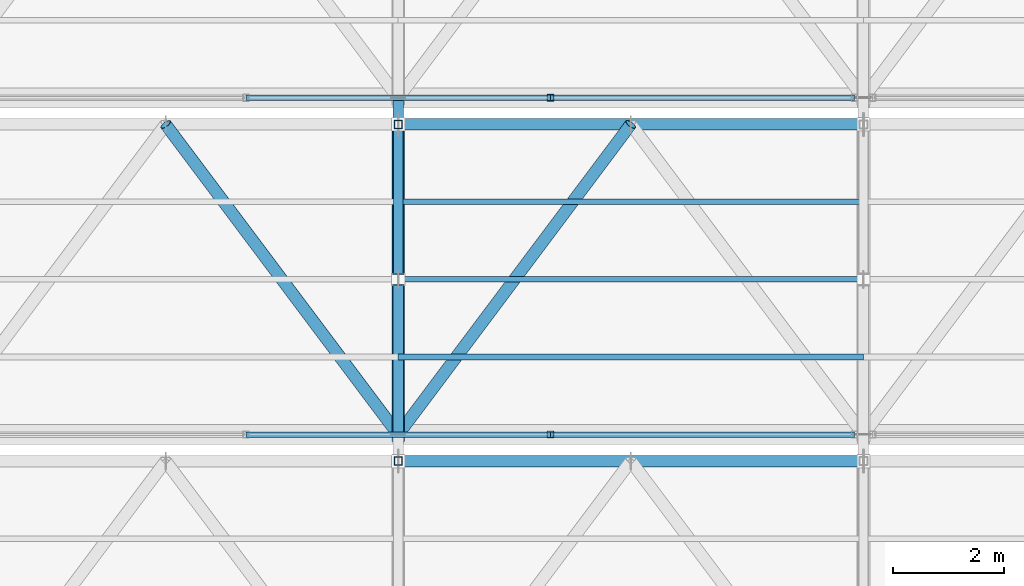
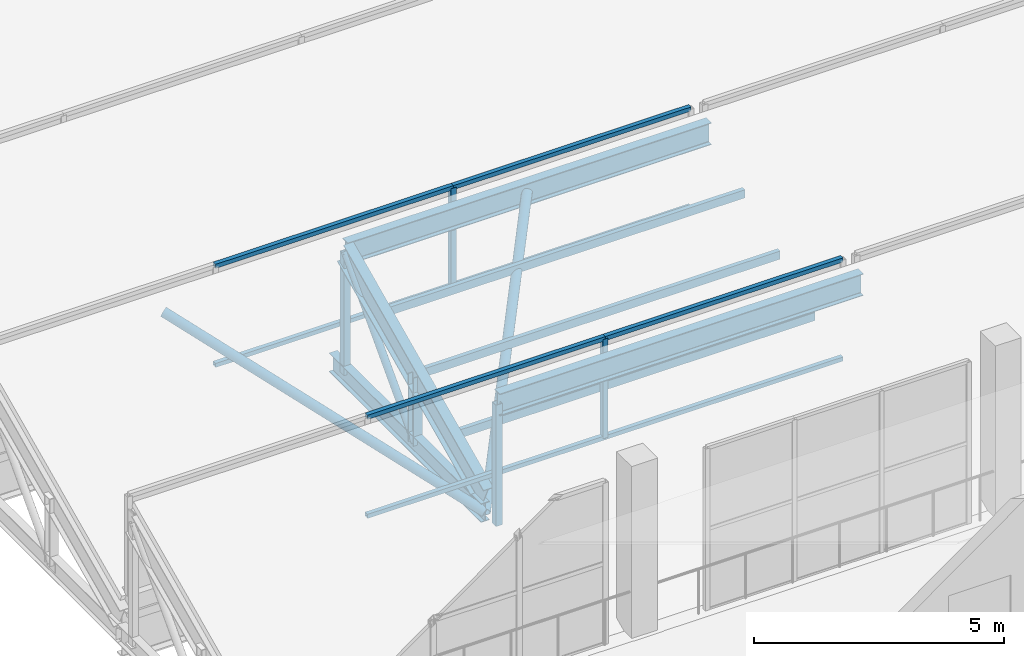
# One storey, part 76 of 217: 23 members, 2 elements without a shape of their own.
"""IFC4 building model written with IfcOpenShell, lengths in metres."""

from ifc_helpers import new_model, si_unit, direction, frame, origin, origin_2d, place, context, subcontext, project, spatial, hollow_rectangle, hollow_circle, i_section, extrude, material, material_profile, profile_set, type_object, element, aggregate, save


model = new_model("IFC4")

# Units and contexts
model_context = context("Model", 3, precision=1e-05, world=origin(), true_north=direction((0.0, 1.0)))
body_context = subcontext(model_context, "Body", "Model", "MODEL_VIEW")
ifc_project = project(units=[si_unit("LENGTHUNIT", "METRE"), si_unit("AREAUNIT", "SQUARE_METRE"), si_unit("VOLUMEUNIT", "CUBIC_METRE"), si_unit("PLANEANGLEUNIT", "RADIAN"), si_unit("MASSUNIT", "GRAM", prefix="KILO")], contexts=[model_context])

# Site, building, storey
site_placement = place(None, origin())
site = spatial("IfcSite", under=ifc_project, at=site_placement, CompositionType="ELEMENT")
building_placement = place(site_placement, origin())
building = spatial("IfcBuilding", under=site, at=building_placement, Name="Zuvorla Pavilion Media Centre", CompositionType="ELEMENT")
storey_placement = place(building_placement, frame((0.0, 0.0, 9.60009765625)))
storey = spatial("IfcBuildingStorey", under=building, at=storey_placement, Name="L02", CompositionType="ELEMENT", Elevation=9.60009765625)

# Curtain wall, member
ifc_material_1 = material(Name="Unitised anodised aluminium and solar glass curtain wall", Category="aluminium")
curtain_wall_type = type_object("IfcCurtainWallType", Name="CW-SYS-88", PredefinedType="USERDEFINED", material=ifc_material_1)
curtain_wall_1_placement = place(storey_placement, origin())
curtain_wall_1 = element("IfcCurtainWall", 1, at=curtain_wall_1_placement, inside=storey, type_object=curtain_wall_type, Name="L02 curtain wall CW88 200", ObjectType="CURTAIN WALL", PredefinedType="USERDEFINED")
ifc_material_2 = material(Name="Anodised aluminium 6063-T6", Category="aluminium")
ifc_material_profile_1 = material_profile(ifc_material_2, hollow_rectangle(XDim=0.1201171875, YDim=0.1201171875, WallThickness=0.0048828125, at=origin_2d()), Name="ALU MULL 120x120")
ifc_profile_set_1 = profile_set([ifc_material_profile_1], Name="Anodised aluminium 6063-T6")
member_type_1 = type_object("IfcMemberType", Name="CW-MULL-120", PredefinedType="MULLION", material=ifc_profile_set_1)
member_1_placement = place(storey_placement, frame((77.94677734375, 95.679931640625, 0.0), z_axis=(0.0, 0.0, 1.0), x_axis=(1.0, 0.0, 0.0)))
member_1 = element("IfcMember", 2, at=member_1_placement, type_object=member_type_1, Name="CW88 mullion 3", PredefinedType="MULLION", context=body_context, shape_type="SweptSolid", body=[
    extrude(hollow_rectangle(XDim=0.1201171875, YDim=0.1201171875, WallThickness=0.0048828125, at=origin_2d()), origin(), (0.0, 0.0, 1.0), 2.419921875),
])

curtain_wall_2_placement = place(storey_placement, origin())
curtain_wall_2 = element("IfcCurtainWall", 3, at=curtain_wall_2_placement, inside=storey, type_object=curtain_wall_type, Name="L02 curtain wall CW88 204", ObjectType="CURTAIN WALL", PredefinedType="USERDEFINED")
member_2_placement = place(storey_placement, frame((77.94677734375, 101.760009765625, 0.0), z_axis=(0.0, 0.0, 1.0), x_axis=(1.0, 0.0, 0.0)))
member_2 = element("IfcMember", 4, at=member_2_placement, type_object=member_type_1, Name="CW88 mullion 3", PredefinedType="MULLION", context=body_context, shape_type="SweptSolid", body=[
    extrude(hollow_rectangle(XDim=0.1201171875, YDim=0.1201171875, WallThickness=0.0048828125, at=origin_2d()), origin(), (0.0, 0.0, 1.0), 2.419921875),
])

# Member
ifc_material_profile_2 = material_profile(ifc_material_2, hollow_rectangle(XDim=0.10009765625, YDim=0.10009765625, WallThickness=0.00439453125, at=origin_2d()), Name="ALU TRAN 100x100")
ifc_profile_set_2 = profile_set([ifc_material_profile_2], Name="Anodised aluminium 6063-T6")
member_type_2 = type_object("IfcMemberType", Name="CW-TRAN-100", PredefinedType="USERDEFINED", material=ifc_profile_set_2)
member_3_placement = place(storey_placement, frame((72.453369140625, 95.679931640625, 0.0), z_axis=(1.0, 0.0, 0.0), x_axis=(0.0, 1.0, 0.0)))
member_3 = element("IfcMember", 5, at=member_3_placement, type_object=member_type_2, Name="CW88 transom 2.1", ObjectType="TRANSOM", PredefinedType="USERDEFINED", context=body_context, shape_type="SweptSolid", body=[
    extrude(hollow_rectangle(XDim=0.10009765625, YDim=0.10009765625, WallThickness=0.00439453125, at=origin_2d()), origin(), (0.0, 0.0, 1.0), 5.493408203125),
])

member_4_placement = place(storey_placement, frame((72.453369140625, 95.679931640625, 2.419921875), z_axis=(1.0, 0.0, 0.0), x_axis=(0.0, 1.0, 0.0)))
member_4 = element("IfcMember", 6, at=member_4_placement, type_object=member_type_2, Name="CW88 transom 2.2", ObjectType="TRANSOM", PredefinedType="USERDEFINED", context=body_context, shape_type="SweptSolid", body=[
    extrude(hollow_rectangle(XDim=0.10009765625, YDim=0.10009765625, WallThickness=0.00439453125, at=origin_2d()), origin(), (0.0, 0.0, 1.0), 5.493408203125),
])

member_5_placement = place(storey_placement, frame((77.94677734375, 95.679931640625, 0.0), z_axis=(1.0, 0.0, 0.0), x_axis=(0.0, 1.0, 0.0)))
member_5 = element("IfcMember", 7, at=member_5_placement, type_object=member_type_2, Name="CW88 transom 3.1", ObjectType="TRANSOM", PredefinedType="USERDEFINED", context=body_context, shape_type="SweptSolid", body=[
    extrude(hollow_rectangle(XDim=0.10009765625, YDim=0.10009765625, WallThickness=0.00439453125, at=origin_2d()), origin(), (0.0, 0.0, 1.0), 5.4931640625),
])

member_6_placement = place(storey_placement, frame((77.94677734375, 95.679931640625, 2.419921875), z_axis=(1.0, 0.0, 0.0), x_axis=(0.0, 1.0, 0.0)))
member_6 = element("IfcMember", 8, at=member_6_placement, type_object=member_type_2, Name="CW88 transom 3.2", ObjectType="TRANSOM", PredefinedType="USERDEFINED", context=body_context, shape_type="SweptSolid", body=[
    extrude(hollow_rectangle(XDim=0.10009765625, YDim=0.10009765625, WallThickness=0.00439453125, at=origin_2d()), origin(), (0.0, 0.0, 1.0), 5.4931640625),
])

aggregate(curtain_wall_1, [member_1, member_3, member_4, member_5, member_6])

member_7_placement = place(storey_placement, frame((72.453369140625, 101.760009765625, 0.0), z_axis=(1.0, 0.0, 0.0), x_axis=(0.0, 1.0, 0.0)))
member_7 = element("IfcMember", 9, at=member_7_placement, type_object=member_type_2, Name="CW88 transom 2.1", ObjectType="TRANSOM", PredefinedType="USERDEFINED", context=body_context, shape_type="SweptSolid", body=[
    extrude(hollow_rectangle(XDim=0.10009765625, YDim=0.10009765625, WallThickness=0.00439453125, at=origin_2d()), origin(), (0.0, 0.0, 1.0), 5.493408203125),
])

member_8_placement = place(storey_placement, frame((72.453369140625, 101.760009765625, 2.419921875), z_axis=(1.0, 0.0, 0.0), x_axis=(0.0, 1.0, 0.0)))
member_8 = element("IfcMember", 10, at=member_8_placement, type_object=member_type_2, Name="CW88 transom 2.2", ObjectType="TRANSOM", PredefinedType="USERDEFINED", context=body_context, shape_type="SweptSolid", body=[
    extrude(hollow_rectangle(XDim=0.10009765625, YDim=0.10009765625, WallThickness=0.00439453125, at=origin_2d()), origin(), (0.0, 0.0, 1.0), 5.493408203125),
])

member_9_placement = place(storey_placement, frame((77.94677734375, 101.760009765625, 0.0), z_axis=(1.0, 0.0, 0.0), x_axis=(0.0, 1.0, 0.0)))
member_9 = element("IfcMember", 11, at=member_9_placement, type_object=member_type_2, Name="CW88 transom 3.1", ObjectType="TRANSOM", PredefinedType="USERDEFINED", context=body_context, shape_type="SweptSolid", body=[
    extrude(hollow_rectangle(XDim=0.10009765625, YDim=0.10009765625, WallThickness=0.00439453125, at=origin_2d()), origin(), (0.0, 0.0, 1.0), 5.4931640625),
])

member_10_placement = place(storey_placement, frame((77.94677734375, 101.760009765625, 2.419921875), z_axis=(1.0, 0.0, 0.0), x_axis=(0.0, 1.0, 0.0)))
member_10 = element("IfcMember", 12, at=member_10_placement, type_object=member_type_2, Name="CW88 transom 3.2", ObjectType="TRANSOM", PredefinedType="USERDEFINED", context=body_context, shape_type="SweptSolid", body=[
    extrude(hollow_rectangle(XDim=0.10009765625, YDim=0.10009765625, WallThickness=0.00439453125, at=origin_2d()), origin(), (0.0, 0.0, 1.0), 5.4931640625),
])

aggregate(curtain_wall_2, [member_2, member_7, member_8, member_9, member_10])

# Members
ifc_material_3 = material(Name="Steel S355", Category="steel")
ifc_material_profile_3 = material_profile(ifc_material_3, hollow_circle(Radius=0.084228515625, WallThickness=0.008056640625, at=origin_2d()), Name="CHS 168.3x8")
ifc_profile_set_3 = profile_set([ifc_material_profile_3], Name="Steel S355")
member_type_3 = type_object("IfcMemberType", Name="MEM-BRC-CHS168", PredefinedType="BRACE", material=ifc_profile_set_3)
member_11_placement = place(storey_placement, frame((75.199951171875, 98.47998046875, -0.880126953125), z_axis=(0.0, 0.68676242614, 0.726881950555), x_axis=(-1.0, 0.0, 0.0)))
element("IfcMember", 13, at=member_11_placement, inside=storey, type_object=member_type_3, Name="L02 diagonal brace TB03 134", PredefinedType="BRACE", context=body_context, shape_type="SweptSolid", body=[
    extrude(hollow_circle(Radius=0.084228515625, WallThickness=0.008056640625, at=origin_2d()), origin(), (0.0, 0.0, 1.0), 4.0771484375),
])
ifc_material_profile_4 = material_profile(ifc_material_3, hollow_circle(Radius=0.109619140625, WallThickness=0.010009765625, at=origin_2d()), Name="CHS 219.1x10")
ifc_profile_set_4 = profile_set([ifc_material_profile_4], Name="Steel S355")
member_type_4 = type_object("IfcMemberType", Name="MEM-BRC-CHS219", PredefinedType="BRACE", material=ifc_profile_set_4)
for number, where, z_axis, x_axis, name in (
    (14, (71.0, 101.280029296875, 2.08349609375), (0.552511596944, -0.736703540702, -0.389870271191), (0.800008370399, 0.599988839305, 0.0), "L02 diagonal brace TB02 173"),
    (15, (75.199951171875, 95.679931640625, -0.880126953125), (0.552511596944, 0.736703540702, 0.389870271191), (-0.800008370399, 0.599988839305, 0.0), "L02 diagonal brace TB02 178"),
):
    element("IfcMember", number, at=place(storey_placement, frame(where, z_axis=z_axis, x_axis=x_axis)), inside=storey, type_object=member_type_4, Name=name, PredefinedType="BRACE", context=body_context, shape_type="SweptSolid", body=[
        extrude(hollow_circle(Radius=0.109619140625, WallThickness=0.010009765625, at=origin_2d()), origin(), (0.0, 0.0, 1.0), 7.6015625),
    ])
ifc_material_profile_5 = material_profile(ifc_material_3, i_section(OverallWidth=0.19140625, OverallDepth=0.4599609375, WebThickness=0.010009765625, FlangeThickness=0.01611328125, FilletRadius=0.01025390625, at=origin_2d()), Name="UB 457x191x82")
ifc_profile_set_5 = profile_set([ifc_material_profile_5], Name="Steel S355")
member_type_5 = type_object("IfcMemberType", Name="MEM-CHD-UB457", PredefinedType="CHORD", material=ifc_profile_set_5)
member_12_placement = place(storey_placement, frame((75.199951171875, 95.679931640625, -0.880126953125), z_axis=(0.0, 1.0, 0.0), x_axis=(-1.0, 0.0, 0.0)))
element("IfcMember", 16, at=member_12_placement, inside=storey, type_object=member_type_5, Name="L02 chord TC03 131", PredefinedType="CHORD", context=body_context, shape_type="SweptSolid", body=[
    extrude(i_section(OverallWidth=0.19140625, OverallDepth=0.4599609375, WebThickness=0.010009765625, FlangeThickness=0.01611328125, FilletRadius=0.01025390625, at=origin_2d()), origin(), (0.0, 0.0, 1.0), 6.080078125),
])
ifc_material_profile_6 = material_profile(ifc_material_3, i_section(OverallWidth=0.2099609375, OverallDepth=0.53662109375, WebThickness=0.0107421875, FlangeThickness=0.017333984375, FilletRadius=0.0126953125, at=origin_2d()), Name="UB 533x210x101")
ifc_profile_set_6 = profile_set([ifc_material_profile_6], Name="Steel S355")
member_type_6 = type_object("IfcMemberType", Name="MEM-CHD-UB533", PredefinedType="CHORD", material=ifc_profile_set_6)
for number, where, z_axis, x_axis, name in (
    (17, (75.199951171875, 95.199951171875, 2.08349609375), (1.0, 0.0, 0.0), (0.0, 1.0, 0.0), "L02 chord TC02 84"),
    (18, (75.199951171875, 101.280029296875, 2.08349609375), (1.0, 0.0, 0.0), (0.0, 1.0, 0.0), "L02 chord TC02 177"),
):
    element("IfcMember", number, at=place(storey_placement, frame(where, z_axis=z_axis, x_axis=x_axis)), inside=storey, type_object=member_type_6, Name=name, PredefinedType="CHORD", context=body_context, shape_type="SweptSolid", body=[
        extrude(i_section(OverallWidth=0.2099609375, OverallDepth=0.53662109375, WebThickness=0.0107421875, FlangeThickness=0.017333984375, FilletRadius=0.0126953125, at=origin_2d()), origin(), (0.0, 0.0, 1.0), 8.400146484375),
    ])
ifc_material_profile_7 = material_profile(ifc_material_3, i_section(OverallWidth=0.22900390625, OverallDepth=0.6123046875, WebThickness=0.011962890625, FlangeThickness=0.01953125, FilletRadius=0.0126953125, at=origin_2d()), Name="UB 610x229x125")
ifc_profile_set_7 = profile_set([ifc_material_profile_7], Name="Steel S355")
member_type_7 = type_object("IfcMemberType", Name="MEM-CHD-UB610", PredefinedType="CHORD", material=ifc_profile_set_7)
member_13_placement = place(storey_placement, frame((75.199951171875, 95.679931640625, -0.5166015625), z_axis=(0.0, 0.907005731366, 0.421118277053), x_axis=(-1.0, 0.0, 0.0)))
element("IfcMember", 19, at=member_13_placement, inside=storey, type_object=member_type_7, Name="L02 chord TC01 132", PredefinedType="CHORD", context=body_context, shape_type="SweptSolid", body=[
    extrude(i_section(OverallWidth=0.22900390625, OverallDepth=0.6123046875, WebThickness=0.011962890625, FlangeThickness=0.01953125, FilletRadius=0.0126953125, at=origin_2d()), origin(), (0.0, 0.0, 1.0), 6.17431640625),
])
ifc_material_profile_8 = material_profile(ifc_material_3, hollow_rectangle(XDim=0.10009765625, YDim=0.199951171875, WallThickness=0.008056640625, at=origin_2d()), Name="RHS 200x100x8")
ifc_profile_set_8 = profile_set([ifc_material_profile_8], Name="Steel S355")
member_type_8 = type_object("IfcMemberType", Name="MEM-PUR-RHS200", PredefinedType="PURLIN", material=ifc_profile_set_8)
for number, where, z_axis, x_axis, name in (
    (20, (75.199951171875, 97.080078125, 0.133544921875), (1.0, 0.0, 0.0), (0.0, 1.0, 0.0), "L02 purlin PR01 180"),
    (21, (75.199951171875, 98.47998046875, 0.783447265625), (1.0, 0.0, 0.0), (0.0, 1.0, 0.0), "L02 purlin PR01 181"),
    (22, (75.199951171875, 99.8798828125, 1.43359375), (1.0, 0.0, 0.0), (0.0, 1.0, 0.0), "L02 purlin PR01 182"),
):
    element("IfcMember", number, at=place(storey_placement, frame(where, z_axis=z_axis, x_axis=x_axis)), inside=storey, type_object=member_type_8, Name=name, PredefinedType="PURLIN", context=body_context, shape_type="SweptSolid", body=[
        extrude(hollow_rectangle(XDim=0.10009765625, YDim=0.199951171875, WallThickness=0.008056640625, at=origin_2d()), origin(), (0.0, 0.0, 1.0), 8.400146484375),
    ])
ifc_material_profile_9 = material_profile(ifc_material_3, hollow_rectangle(XDim=0.14990234375, YDim=0.14990234375, WallThickness=0.008056640625, at=origin_2d()), Name="SHS 150x150x8")
ifc_profile_set_9 = profile_set([ifc_material_profile_9], Name="Steel S355")
member_type_9 = type_object("IfcMemberType", Name="MEM-STR-SHS150", PredefinedType="STRUT", material=ifc_profile_set_9)
for number, where, z_axis, x_axis, name in (
    (23, (75.199951171875, 95.199951171875, -0.880126953125), (0.0, 0.0, 1.0), (1.0, 0.0, 0.0), "L02 vertical strut TS01 40"),
    (24, (75.199951171875, 101.280029296875, -0.880126953125), (0.0, 0.0, 1.0), (1.0, 0.0, 0.0), "L02 vertical strut TS01 133"),
):
    element("IfcMember", number, at=place(storey_placement, frame(where, z_axis=z_axis, x_axis=x_axis)), inside=storey, type_object=member_type_9, Name=name, PredefinedType="STRUT", context=body_context, shape_type="SweptSolid", body=[
        extrude(hollow_rectangle(XDim=0.14990234375, YDim=0.14990234375, WallThickness=0.008056640625, at=origin_2d()), origin(), (0.0, 0.0, 1.0), 2.963623046875),
    ])
ifc_material_profile_10 = material_profile(ifc_material_3, i_section(OverallWidth=0.205810546875, OverallDepth=0.209716796875, WebThickness=0.009521484375, FlangeThickness=0.01416015625, FilletRadius=0.01025390625, at=origin_2d()), Name="UC 203x203x60")
ifc_profile_set_10 = profile_set([ifc_material_profile_10], Name="Steel S355")
member_type_10 = type_object("IfcMemberType", Name="MEM-STR-UC203", PredefinedType="STRUT", material=ifc_profile_set_10)
member_14_placement = place(storey_placement, frame((75.199951171875, 98.47998046875, -0.880126953125), z_axis=(0.0, 0.0, 1.0), x_axis=(1.0, 0.0, 0.0)))
element("IfcMember", 25, at=member_14_placement, inside=storey, type_object=member_type_10, Name="L02 vertical strut TS02 135", PredefinedType="STRUT", context=body_context, shape_type="SweptSolid", body=[
    extrude(i_section(OverallWidth=0.205810546875, OverallDepth=0.209716796875, WebThickness=0.009521484375, FlangeThickness=0.01416015625, FilletRadius=0.01025390625, at=origin_2d()), origin(), (0.0, 0.0, 1.0), 1.66357421875),
])

save(model, "model.ifc")
